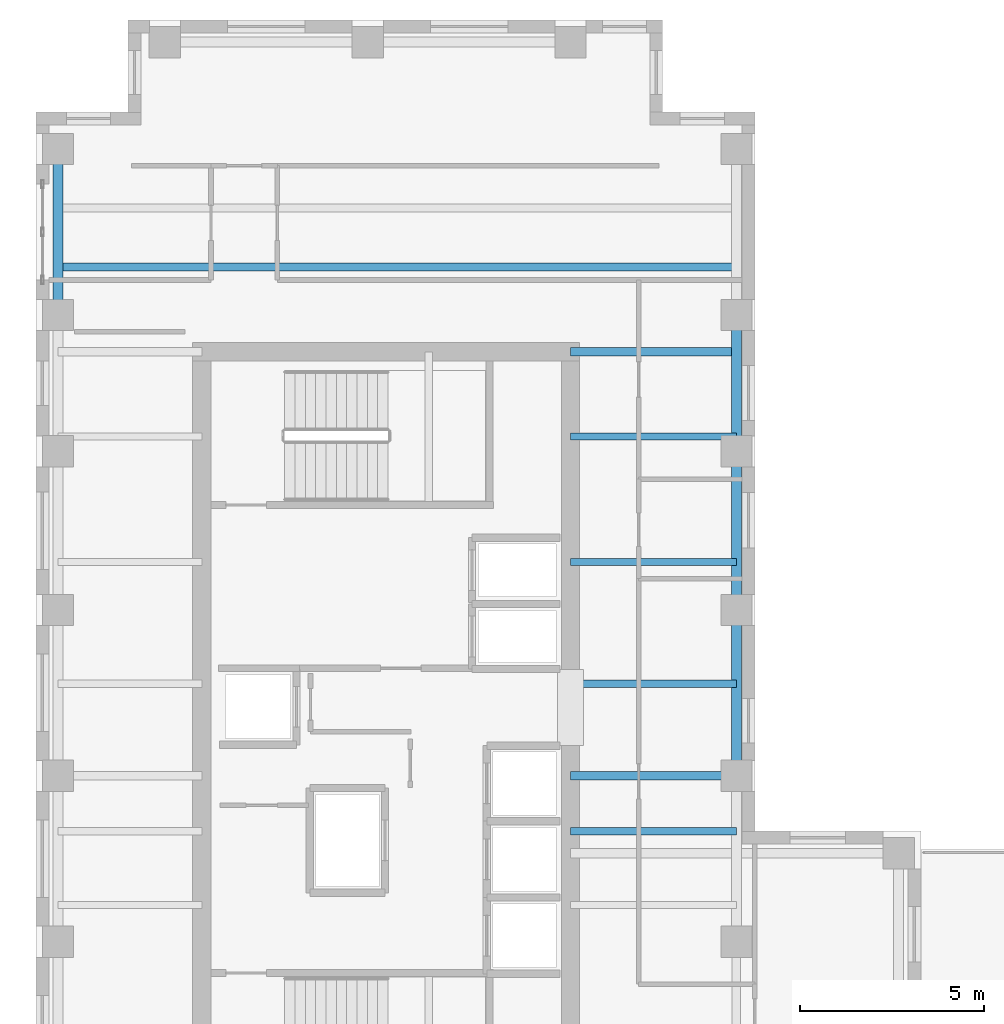
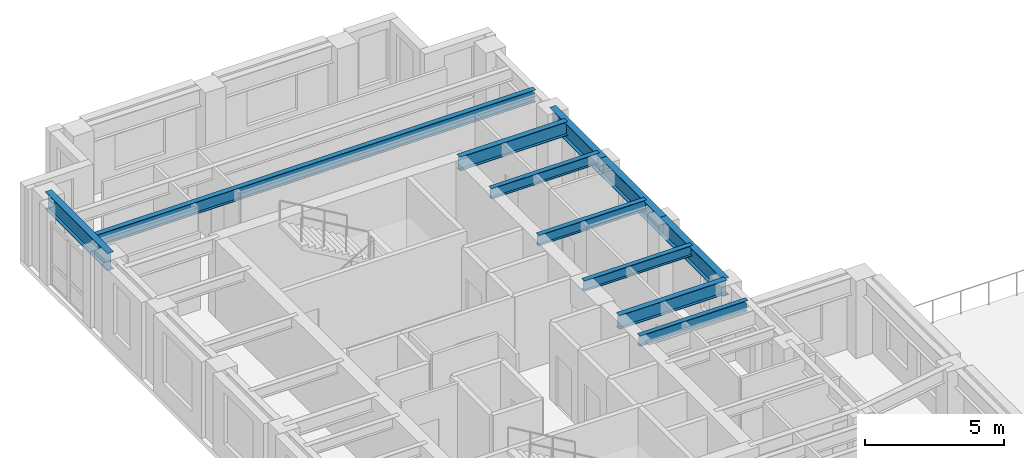
# One storey, part 3 of 11: 11 beams.
"""IFC4 building model written with IfcOpenShell, lengths in metres."""

from ifc_helpers import new_model, si_unit, direction, frame, origin, origin_2d, place, context, subcontext, project, spatial, i_section, extrude, source, transform, mapped, material, material_profile, profile_set, type_object, element, save


model = new_model("IFC4")

# Units and contexts
model_context = context("Model", 3, precision=1e-05, world=origin(), true_north=direction((0.0, 1.0)))
body_context = subcontext(model_context, "Body", "Model", "MODEL_VIEW")
ifc_project = project(units=[si_unit("LENGTHUNIT", "METRE"), si_unit("AREAUNIT", "SQUARE_METRE"), si_unit("VOLUMEUNIT", "CUBIC_METRE"), si_unit("PLANEANGLEUNIT", "RADIAN"), si_unit("MASSUNIT", "GRAM", prefix="KILO")], contexts=[model_context])

# Site, building, storey
site_placement = place(None, origin())
site = spatial("IfcSite", under=ifc_project, at=site_placement, CompositionType="ELEMENT")
building_placement = place(site_placement, origin())
building = spatial("IfcBuilding", under=site, at=building_placement, Name="Kharzan Plaza Tower", CompositionType="ELEMENT")
storey_placement = place(building_placement, frame((0.0, 0.0, 262.800048828125)))
storey = spatial("IfcBuildingStorey", under=building, at=storey_placement, Name="L71", CompositionType="ELEMENT", Elevation=262.800048828125)

# Beams
ifc_material = material(Name="Steel S355", Category="steel")
ifc_material_profile_1 = material_profile(ifc_material, i_section(OverallWidth=0.2099609375, OverallDepth=0.537109375, WebThickness=0.010986328125, FlangeThickness=0.017333984375, at=origin_2d()), Name="W530x101")
ifc_profile_set_1 = profile_set([ifc_material_profile_1], Name="Steel S355")
beam_type_1 = type_object("IfcBeamType", Name="BM-JST530B", PredefinedType="JOIST", material=ifc_profile_set_1)
shared_shape_1 = source(origin(), body_context, "Body", "SweptSolid", [
    extrude(i_section(OverallWidth=0.2099609375, OverallDepth=0.537109375, WebThickness=0.010986328125, FlangeThickness=0.017333984375, at=origin_2d()), origin(), (0.0, 0.0, 1.0), 18.39990234375),
])
beam_1_placement = place(storey_placement, frame((0.60009765625, 31.800048828125, 3.13134765625), z_axis=(1.0, 0.0, 0.0), x_axis=(0.0, 1.0, 0.0)))
element("IfcBeam", 1, at=beam_1_placement, inside=storey, type_object=beam_type_1, Name="L71 Wing A Composite Joist 04", PredefinedType="JOIST", context=body_context, shape_type="MappedRepresentation", body=[
    mapped(shared_shape_1, transform((0.0, 0.0, 0.0), x_axis=(1.0, 0.0, 0.0), y_axis=(0.0, 1.0, 0.0), z_axis=(0.0, 0.0, 1.0))),
])
ifc_material_profile_2 = material_profile(ifc_material, i_section(OverallWidth=0.194091796875, OverallDepth=0.468994140625, WebThickness=0.011474609375, FlangeThickness=0.0205078125, at=origin_2d()), Name="W460x106")
ifc_profile_set_2 = profile_set([ifc_material_profile_2], Name="Steel S355")
beam_type_2 = type_object("IfcBeamType", Name="BM-JST460", PredefinedType="JOIST", material=ifc_profile_set_2)
shared_shape_2 = source(origin(), body_context, "Body", "SweptSolid", [
    extrude(i_section(OverallWidth=0.194091796875, OverallDepth=0.468994140625, WebThickness=0.011474609375, FlangeThickness=0.0205078125, at=origin_2d()), origin(), (0.0, 0.0, 1.0), 4.5),
])
for number, where, z_axis, x_axis, name in (
    (2, (14.5, 16.5, 3.16552734375), (1.0, 0.0, 0.0), (0.0, 1.0, 0.0), "L71 Wing A East Infill Joist 3"),
    (3, (14.5, 20.5, 3.16552734375), (1.0, 0.0, 0.0), (0.0, 1.0, 0.0), "L71 Wing A East Infill Joist 4"),
    (4, (14.5, 23.800048828125, 3.16552734375), (1.0, 0.0, 0.0), (0.0, 1.0, 0.0), "L71 Wing A East Infill Joist 5"),
    (5, (14.5, 27.199951171875, 3.16552734375), (1.0, 0.0, 0.0), (0.0, 1.0, 0.0), "L71 Wing A East Infill Joist 6"),
):
    element("IfcBeam", number, at=place(storey_placement, frame(where, z_axis=z_axis, x_axis=x_axis)), inside=storey, type_object=beam_type_2, Name=name, PredefinedType="JOIST", context=body_context, shape_type="MappedRepresentation", body=[
        mapped(shared_shape_2, transform((0.0, 0.0, 0.0), x_axis=(1.0, 0.0, 0.0), y_axis=(0.0, 1.0, 0.0), z_axis=(0.0, 0.0, 1.0))),
    ])
ifc_material_profile_3 = material_profile(ifc_material, i_section(OverallWidth=0.22900390625, OverallDepth=0.612060546875, WebThickness=0.011962890625, FlangeThickness=0.01953125, at=origin_2d()), Name="W610x125")
ifc_profile_set_3 = profile_set([ifc_material_profile_3], Name="Steel S355")
beam_type_3 = type_object("IfcBeamType", Name="BM-FG610B", PredefinedType="BEAM", material=ifc_profile_set_3)
shared_shape_3 = source(origin(), body_context, "Body", "SweptSolid", [
    extrude(i_section(OverallWidth=0.22900390625, OverallDepth=0.612060546875, WebThickness=0.011962890625, FlangeThickness=0.01953125, at=origin_2d()), origin(), (0.0, 0.0, 1.0), 4.5),
])
for number, where, z_axis, x_axis, name in (
    (6, (14.5, 18.0, 3.093994140625), (1.0, 0.0, 0.0), (0.0, 1.0, 0.0), "L71 Core-A East Floor Girder 2"),
    (7, (14.5, 29.5, 3.093994140625), (1.0, 0.0, 0.0), (0.0, 1.0, 0.0), "L71 Core-A East Floor Girder 3"),
):
    element("IfcBeam", number, at=place(storey_placement, frame(where, z_axis=z_axis, x_axis=x_axis)), inside=storey, type_object=beam_type_3, Name=name, PredefinedType="BEAM", context=body_context, shape_type="MappedRepresentation", body=[
        mapped(shared_shape_3, transform((0.0, 0.0, 0.0), x_axis=(1.0, 0.0, 0.0), y_axis=(0.0, 1.0, 0.0), z_axis=(0.0, 0.0, 1.0))),
    ])
ifc_material_profile_4 = material_profile(ifc_material, i_section(OverallWidth=0.26708984375, OverallDepth=0.76611328125, WebThickness=0.014892578125, FlangeThickness=0.023681640625, at=origin_2d()), Name="W760x185")
ifc_profile_set_4 = profile_set([ifc_material_profile_4], Name="Steel S355")
beam_type_4 = type_object("IfcBeamType", Name="BM-SP760B", PredefinedType="SPANDREL", material=ifc_profile_set_4)
shared_shape_4 = source(origin(), body_context, "Body", "SweptSolid", [
    extrude(i_section(OverallWidth=0.26708984375, OverallDepth=0.76611328125, WebThickness=0.014892578125, FlangeThickness=0.023681640625, at=origin_2d()), origin(), (0.0, 0.0, 1.0), 4.5),
])
for number, where, z_axis, x_axis, name in (
    (8, (0.60009765625, 30.5, 3.016845703125), (0.0, 1.0, 0.0), (-1.0, 0.0, 0.0), "L71 Perimeter Tube Spandrel"),
    (9, (19.0, 18.0, 3.016845703125), (0.0, 1.0, 0.0), (-1.0, 0.0, 0.0), "L71 Perimeter Tube Spandrel"),
):
    element("IfcBeam", number, at=place(storey_placement, frame(where, z_axis=z_axis, x_axis=x_axis)), inside=storey, type_object=beam_type_4, Name=name, PredefinedType="SPANDREL", context=body_context, shape_type="MappedRepresentation", body=[
        mapped(shared_shape_4, transform((0.0, 0.0, 0.0), x_axis=(1.0, 0.0, 0.0), y_axis=(0.0, 1.0, 0.0), z_axis=(0.0, 0.0, 1.0))),
    ])
shared_shape_5 = source(origin(), body_context, "Body", "SweptSolid", [
    extrude(i_section(OverallWidth=0.26708984375, OverallDepth=0.76611328125, WebThickness=0.014892578125, FlangeThickness=0.023681640625, at=origin_2d()), origin(), (0.0, 0.0, 1.0), 4.300048828125),
])
beam_2_placement = place(storey_placement, frame((19.0, 22.5, 3.016845703125), z_axis=(0.0, 1.0, 0.0), x_axis=(-1.0, 0.0, 0.0)))
element("IfcBeam", 10, at=beam_2_placement, inside=storey, type_object=beam_type_4, Name="L71 Perimeter Tube Spandrel", PredefinedType="SPANDREL", context=body_context, shape_type="MappedRepresentation", body=[
    mapped(shared_shape_5, transform((0.0, 0.0, 0.0), x_axis=(1.0, 0.0, 0.0), y_axis=(0.0, 1.0, 0.0), z_axis=(0.0, 0.0, 1.0))),
])
shared_shape_6 = source(origin(), body_context, "Body", "SweptSolid", [
    extrude(i_section(OverallWidth=0.26708984375, OverallDepth=0.76611328125, WebThickness=0.014892578125, FlangeThickness=0.023681640625, at=origin_2d()), origin(), (0.0, 0.0, 1.0), 3.699951171875),
])
beam_3_placement = place(storey_placement, frame((19.0, 26.800048828125, 3.016845703125), z_axis=(0.0, 1.0, 0.0), x_axis=(-1.0, 0.0, 0.0)))
element("IfcBeam", 11, at=beam_3_placement, inside=storey, type_object=beam_type_4, Name="L71 Perimeter Tube Spandrel", PredefinedType="SPANDREL", context=body_context, shape_type="MappedRepresentation", body=[
    mapped(shared_shape_6, transform((0.0, 0.0, 0.0), x_axis=(1.0, 0.0, 0.0), y_axis=(0.0, 1.0, 0.0), z_axis=(0.0, 0.0, 1.0))),
])

save(model, "model.ifc")
